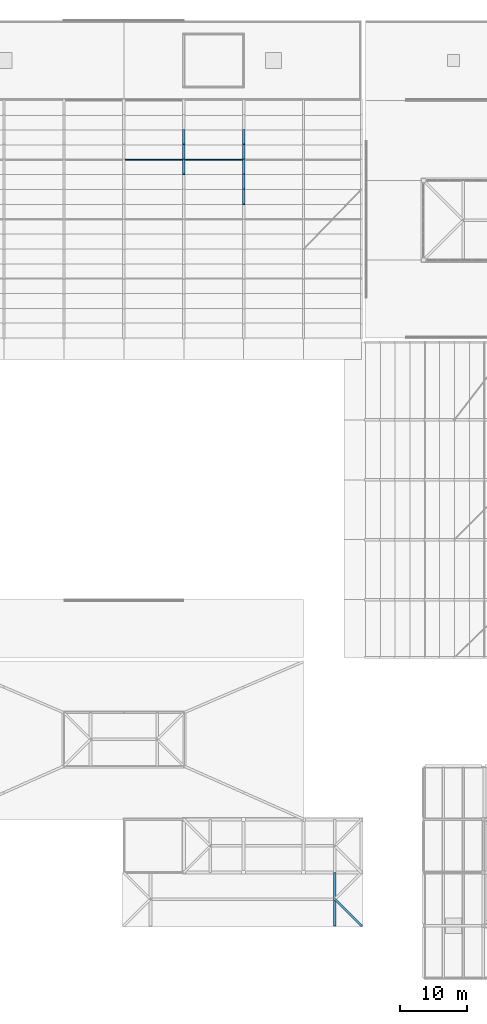
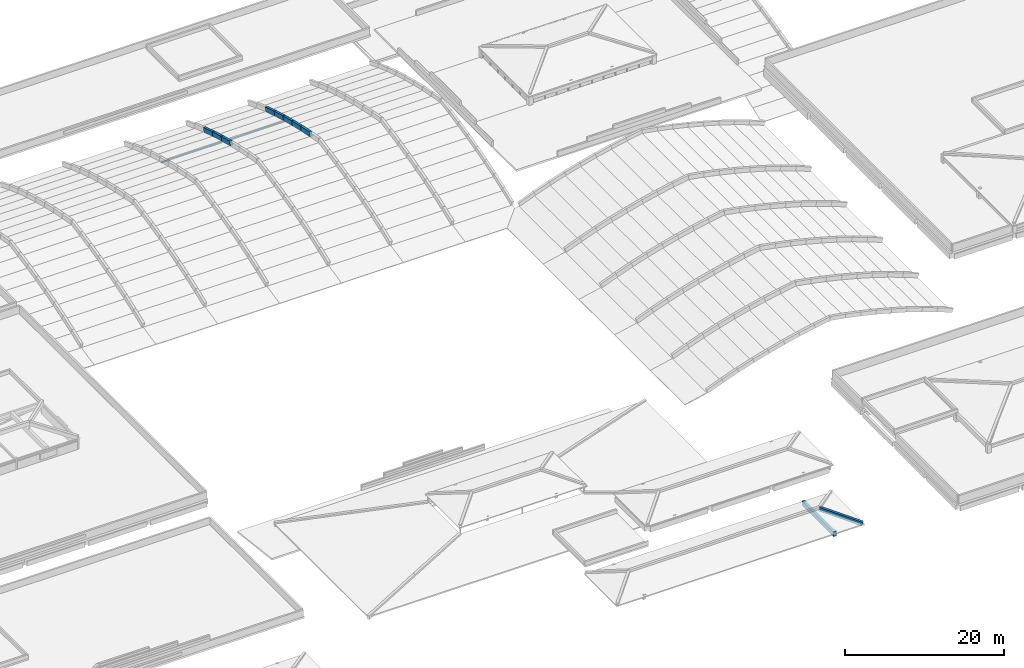
# One storey, part 20 of 56: 10 beams, 2 members.
"""IFC4 building model written with IfcOpenShell, lengths in metres."""

import ifcopenshell
import ifcopenshell.guid

model = None  # the IFC model being written
_history = None  # IfcOwnerHistory: only IFC2X3 demands one
_inside = {}  # id of a spatial element -> (the spatial element, [elements in it])
_under = {}  # id of a project, library or spatial element -> (it, [spatial elements below it])
_declared = {}  # id of a project -> (the project, [libraries it declares])
_typed = {}  # id of a type object -> (the type object, [elements of that type])
_made_of = {}  # id of a material, layer set ... -> (it, [elements and type objects made of it])


def new_model(schema):
    """Start an empty IFC model of exactly this schema.

    Asked for "IFC4X3", IfcOpenShell would pick the latest addendum, in which some entities
    have other attributes; the version numbers below select the first issue.
    IFC2X3 requires an IfcOwnerHistory on every rooted entity: one is made here for all.
    """
    global model, _history
    if schema == "IFC4X3":
        model = ifcopenshell.file(schema_version=(4, 3, 0, 0))
    else:
        model = ifcopenshell.file(schema=schema)
    _inside.clear()
    _under.clear()
    _declared.clear()
    _typed.clear()
    _made_of.clear()
    _history = None
    if model.schema == "IFC2X3":
        org = make("IfcOrganization", Name="unknown")
        user = make(
            "IfcPersonAndOrganization",
            ThePerson=make("IfcPerson", FamilyName="unknown"),
            TheOrganization=org,
        )
        app = make(
            "IfcApplication",
            ApplicationDeveloper=org,
            Version="unknown",
            ApplicationFullName="unknown",
            ApplicationIdentifier="unknown",
        )
        _history = make(
            "IfcOwnerHistory",
            OwningUser=user,
            OwningApplication=app,
            ChangeAction="ADDED",
            CreationDate=0,
        )
    return model


def make(cls, **values):
    """One entity of the class cls with the attributes given. An attribute that is None is left unset."""
    return model.create_entity(
        cls, **{name: value for name, value in values.items() if value is not None}
    )


def rooted(cls, **values):
    """An entity with a GlobalId (a new one), such as an element, a storey or a relation."""
    return make(cls, GlobalId=ifcopenshell.guid.new(), OwnerHistory=_history, **values)


def si_unit(unit_type, name, prefix=None):
    """IfcSIUnit, for example si_unit("LENGTHUNIT", "METRE", prefix="MILLI")."""
    return make("IfcSIUnit", UnitType=unit_type, Prefix=prefix, Name=name)


def assignment(units):
    """IfcUnitAssignment: the units of a project."""
    return None if units is None else make("IfcUnitAssignment", Units=units)


def point(xyz):
    """IfcCartesianPoint."""
    return None if xyz is None else make("IfcCartesianPoint", Coordinates=xyz)


def direction(xyz):
    """IfcDirection."""
    return None if xyz is None else make("IfcDirection", DirectionRatios=xyz)


def frame(location, z_axis=None, x_axis=None):
    """IfcAxis2Placement3D, a coordinate frame: its origin and axes. An axis left out is left unset."""
    return make(
        "IfcAxis2Placement3D",
        Location=point(location),
        Axis=direction(z_axis),
        RefDirection=direction(x_axis),
    )


def frame_2d(location, x_axis=None):
    """IfcAxis2Placement2D, a coordinate frame in the plane: its origin and x axis."""
    return make(
        "IfcAxis2Placement2D", Location=point(location), RefDirection=direction(x_axis)
    )


def origin():
    """The frame at (0, 0, 0) with its axes left unset."""
    return frame((0.0, 0.0, 0.0))


def origin_2d():
    """The frame at (0, 0) in the plane with its x axis left unset."""
    return frame_2d((0.0, 0.0))


def place(relative_to, where):
    """IfcLocalPlacement: puts the frame where relative to a parent placement (None: the world)."""
    return make(
        "IfcLocalPlacement", PlacementRelTo=relative_to, RelativePlacement=where
    )


def context(
    kind, dimensions, precision=None, world=None, true_north=None, identifier=None
):
    """IfcGeometricRepresentationContext, for example the 3D "Model" context."""
    return make(
        "IfcGeometricRepresentationContext",
        ContextIdentifier=identifier,
        ContextType=kind,
        CoordinateSpaceDimension=dimensions,
        Precision=precision,
        WorldCoordinateSystem=world,
        TrueNorth=true_north,
    )


def subcontext(parent, identifier, kind, view, scale=None):
    """IfcGeometricRepresentationSubContext, for example "Body" below "Model"."""
    return make(
        "IfcGeometricRepresentationSubContext",
        ContextIdentifier=identifier,
        ContextType=kind,
        ParentContext=parent,
        TargetScale=scale,
        TargetView=view,
    )


def project(units=None, contexts=None):
    """IfcProject with its units and contexts."""
    return rooted(
        "IfcProject",
        Name="project",
        RepresentationContexts=contexts,
        UnitsInContext=assignment(units),
    )


def spatial(cls, under=None, at=None, **own):
    """A site, building, storey or space (cls), placed at a placement, below another one or the project."""
    s = rooted(cls, ObjectPlacement=at, **own)
    if under is not None:
        _under.setdefault(under.id(), (under, []))[1].append(s)
    return s


def profile(cls, at=None, kind="AREA", **sizes):
    """A parametric profile (cls). Its sizes go by their IFC names, for example OverallWidth=200.0."""
    return make(cls, ProfileType=kind, Position=at, **sizes)


def rectangle(**sizes):
    """IfcRectangleProfileDef."""
    return profile("IfcRectangleProfileDef", **sizes)


def i_section(**sizes):
    """IfcIShapeProfileDef."""
    return profile("IfcIShapeProfileDef", **sizes)


def extrude(swept, where, along, depth):
    """IfcExtrudedAreaSolid: the profile swept, set in the frame where, extruded along a direction by depth."""
    return make(
        "IfcExtrudedAreaSolid",
        SweptArea=swept,
        Position=where,
        ExtrudedDirection=direction(along),
        Depth=depth,
    )


def shape(context_of_items, identifier, shape_type, items):
    """IfcShapeRepresentation: the items that make up one representation, for example the "Body"."""
    return make(
        "IfcShapeRepresentation",
        ContextOfItems=context_of_items,
        RepresentationIdentifier=identifier,
        RepresentationType=shape_type,
        Items=items,
    )


def material(Name=None, Category=None):
    """IfcMaterial."""
    return make("IfcMaterial", Name=Name, Category=Category)


def material_profile(
    of_material, cross_section, Name=None, Category=None, Priority=None
):
    """IfcMaterialProfile: a cross section and its material."""
    return make(
        "IfcMaterialProfile",
        Name=Name,
        Material=of_material,
        Profile=cross_section,
        Priority=Priority,
        Category=Category,
    )


def profile_set(profiles, Name=None, composite=None):
    """IfcMaterialProfileSet."""
    return make(
        "IfcMaterialProfileSet",
        Name=Name,
        MaterialProfiles=profiles,
        CompositeProfile=composite,
    )


def made_of(thing, what):
    """Note that an element or type object is made of a material, layer set ...; save() writes the relation."""
    if what is not None:
        _made_of.setdefault(what.id(), (what, []))[1].append(thing)
    return thing


def type_object(cls, material=None, **own):
    """A type object (cls), such as IfcWallType, which elements share."""
    return made_of(rooted(cls, **own), material)


def element(
    cls,
    number,
    at=None,
    inside=None,
    cuts=None,
    type_object=None,
    material=None,
    context=None,
    identifier="Body",
    shape_type=None,
    held_by="IfcProductDefinitionShape",
    body=None,
    shapes=None,
    **own,
):
    """One element of the class cls, such as IfcWall. Its Tag is "e" and its number.

    at: its placement. inside: the storey or other place that contains it. cuts: it is an
    opening in that element (IfcRelVoidsElement). A single representation is given by context,
    identifier, shape_type and body (its items); several are given by shapes. held_by: the class
    of the entity that holds the representations. save() writes the other relations.
    """
    e = rooted(cls, Tag="e%d" % number, ObjectPlacement=at, **own)
    if body is not None:
        shapes = [shape(context, identifier, shape_type, body)]
    if shapes is not None:
        e.Representation = make(held_by, Representations=shapes)
    if inside is not None:
        _inside.setdefault(inside.id(), (inside, []))[1].append(e)
    if cuts is not None:
        rooted(
            "IfcRelVoidsElement", RelatingBuildingElement=cuts, RelatedOpeningElement=e
        )
    if type_object is not None:
        _typed.setdefault(type_object.id(), (type_object, []))[1].append(e)
    return made_of(e, material)


def aggregate(whole, parts):
    """IfcRelAggregates: a whole, such as a stair, and the parts it consists of."""
    return rooted("IfcRelAggregates", RelatingObject=whole, RelatedObjects=parts)


def save(model, path):
    """Write the relations noted so far, then the file.

    IfcRelAggregates (storeys below a building ...), IfcRelContainedInSpatialStructure (elements
    in a storey), IfcRelDefinesByType, IfcRelAssociatesMaterial and IfcRelDeclares: one each for
    every whole, place, type object, material and project.
    """
    for whole, parts in _under.values():
        aggregate(whole, parts)
    for where, things in _inside.values():
        rooted(
            "IfcRelContainedInSpatialStructure",
            RelatedElements=things,
            RelatingStructure=where,
        )
    for kind, things in _typed.values():
        rooted("IfcRelDefinesByType", RelatedObjects=things, RelatingType=kind)
    for what, things in _made_of.values():
        rooted("IfcRelAssociatesMaterial", RelatedObjects=things, RelatingMaterial=what)
    for by, libraries in _declared.values():
        rooted("IfcRelDeclares", RelatingContext=by, RelatedDefinitions=libraries)
    model.write(path)


model = new_model("IFC4")

# Units and contexts
model_context = context("Model", 3, precision=1e-05, world=origin(), true_north=direction((0.0, 1.0)))
body_context = subcontext(model_context, "Body", "Model", "MODEL_VIEW")
ifc_project = project(units=[si_unit("LENGTHUNIT", "METRE"), si_unit("AREAUNIT", "SQUARE_METRE"), si_unit("VOLUMEUNIT", "CUBIC_METRE"), si_unit("PLANEANGLEUNIT", "RADIAN"), si_unit("MASSUNIT", "GRAM", prefix="KILO")], contexts=[model_context])

# Site, building, storey
site_placement = place(None, origin())
site = spatial("IfcSite", under=ifc_project, at=site_placement, CompositionType="ELEMENT")
building_placement = place(site_placement, origin())
building = spatial("IfcBuilding", under=site, at=building_placement, Name="Zacnel Wholesale Market", CompositionType="ELEMENT")
storey_placement = place(building_placement, frame((0.0, 0.0, 20.300048828125)))
storey = spatial("IfcBuildingStorey", under=building, at=storey_placement, Name="RF", CompositionType="ELEMENT", Elevation=20.300048828125)

# Beams
ifc_material_1 = material(Name="Concrete C40/50", Category="concrete")
ifc_material_profile_1 = material_profile(ifc_material_1, rectangle(XDim=0.35009765625, YDim=0.60009765625, at=origin_2d()), Name="ARCH RIB 350x600")
ifc_profile_set_1 = profile_set([ifc_material_profile_1], Name="Concrete C40/50")
beam_type_1 = type_object("IfcBeamType", Name="BM-AR600", PredefinedType="USERDEFINED", material=ifc_profile_set_1)
beam_1_placement = place(storey_placement, frame((143.699951171875, 8.0, -4.570068359375), z_axis=(-0.689141918443, 0.689141918443, 0.223979535871), x_axis=(-0.707106781187, -0.707106781187, 0.0)))
element("IfcBeam", 1, at=beam_1_placement, inside=storey, type_object=beam_type_1, Name="Hipped crown rib STR-ROOF-V4E-SOUTH-2", ObjectType="ARCH RIB", PredefinedType="USERDEFINED", context=body_context, shape_type="SweptSolid", body=[
    extrude(rectangle(XDim=0.35009765625, YDim=0.60009765625, at=origin_2d()), origin(), (0.0, 0.0, 1.0), 5.80419921875),
])
ifc_material_2 = material(Name="Concrete C40/50", Category="concrete")
ifc_material_profile_2 = material_profile(ifc_material_2, rectangle(XDim=0.35009765625, YDim=0.699951171875, at=origin_2d()), Name="ARCH RIB 350x700")
ifc_profile_set_2 = profile_set([ifc_material_profile_2], Name="Concrete C40/50")
beam_type_2 = type_object("IfcBeamType", Name="BM-AR700", PredefinedType="USERDEFINED", material=ifc_profile_set_2)
beam_2_placement = place(storey_placement, frame((117.0, 120.84375, -5.16015625), z_axis=(0.0, 0.967851902384, -0.251520764653), x_axis=(-1.0, 0.0, 0.0)))
element("IfcBeam", 2, at=beam_2_placement, inside=storey, type_object=beam_type_2, Name="Extrados arch rib north_west-117.0-S12", ObjectType="ARCH RIB", PredefinedType="USERDEFINED", context=body_context, shape_type="SweptSolid", body=[
    extrude(rectangle(XDim=0.35009765625, YDim=0.699951171875, at=origin_2d()), origin(), (0.0, 0.0, 1.0), 2.305419921875),
])
beam_3_placement = place(storey_placement, frame((117.0, 123.074951171875, -5.739990234375), z_axis=(0.0, 0.961229723344, -0.275748833108), x_axis=(-1.0, 0.0, 0.0)))
element("IfcBeam", 3, at=beam_3_placement, inside=storey, type_object=beam_type_2, Name="Extrados arch rib north_west-117.0-S13", ObjectType="ARCH RIB", PredefinedType="USERDEFINED", context=body_context, shape_type="SweptSolid", body=[
    extrude(rectangle(XDim=0.35009765625, YDim=0.699951171875, at=origin_2d()), origin(), (0.0, 0.0, 1.0), 2.321533203125),
])
beam_4_placement = place(storey_placement, frame((117.0, 125.306396484375, -6.380126953125), z_axis=(0.0, 0.951680151046, -0.30709101274), x_axis=(-1.0, 0.0, 0.0)))
element("IfcBeam", 4, at=beam_4_placement, inside=storey, type_object=beam_type_2, Name="Extrados arch rib north_west-117.0-S14", ObjectType="ARCH RIB", PredefinedType="USERDEFINED", context=body_context, shape_type="SweptSolid", body=[
    extrude(rectangle(XDim=0.35009765625, YDim=0.699951171875, at=origin_2d()), origin(), (0.0, 0.0, 1.0), 2.344482421875),
])
beam_5_placement = place(storey_placement, frame((126.0, 116.381103515625, -4.179931640625), z_axis=(0.0, 0.979388514875, -0.20198548693), x_axis=(-1.0, 0.0, 0.0)))
element("IfcBeam", 5, at=beam_5_placement, inside=storey, type_object=beam_type_2, Name="Extrados arch rib north_west-126.0-S10", ObjectType="ARCH RIB", PredefinedType="USERDEFINED", context=body_context, shape_type="SweptSolid", body=[
    extrude(rectangle(XDim=0.35009765625, YDim=0.699951171875, at=origin_2d()), origin(), (0.0, 0.0, 1.0), 2.2783203125),
])
beam_6_placement = place(storey_placement, frame((126.0, 118.612548828125, -4.64013671875), z_axis=(0.0, 0.973898559906, -0.226983688872), x_axis=(-1.0, 0.0, 0.0)))
element("IfcBeam", 6, at=beam_6_placement, inside=storey, type_object=beam_type_2, Name="Extrados arch rib north_west-126.0-S11", ObjectType="ARCH RIB", PredefinedType="USERDEFINED", context=body_context, shape_type="SweptSolid", body=[
    extrude(rectangle(XDim=0.35009765625, YDim=0.699951171875, at=origin_2d()), origin(), (0.0, 0.0, 1.0), 2.291015625),
])
beam_7_placement = place(storey_placement, frame((126.0, 120.84375, -5.16015625), z_axis=(0.0, 0.967851902384, -0.251520764653), x_axis=(-1.0, 0.0, 0.0)))
element("IfcBeam", 7, at=beam_7_placement, inside=storey, type_object=beam_type_2, Name="Extrados arch rib north_west-126.0-S12", ObjectType="ARCH RIB", PredefinedType="USERDEFINED", context=body_context, shape_type="SweptSolid", body=[
    extrude(rectangle(XDim=0.35009765625, YDim=0.699951171875, at=origin_2d()), origin(), (0.0, 0.0, 1.0), 2.305419921875),
])
beam_8_placement = place(storey_placement, frame((126.0, 123.074951171875, -5.739990234375), z_axis=(0.0, 0.961229723344, -0.275748833108), x_axis=(-1.0, 0.0, 0.0)))
element("IfcBeam", 8, at=beam_8_placement, inside=storey, type_object=beam_type_2, Name="Extrados arch rib north_west-126.0-S13", ObjectType="ARCH RIB", PredefinedType="USERDEFINED", context=body_context, shape_type="SweptSolid", body=[
    extrude(rectangle(XDim=0.35009765625, YDim=0.699951171875, at=origin_2d()), origin(), (0.0, 0.0, 1.0), 2.321533203125),
])
beam_9_placement = place(storey_placement, frame((126.0, 125.306396484375, -6.380126953125), z_axis=(0.0, 0.951680151046, -0.30709101274), x_axis=(-1.0, 0.0, 0.0)))
element("IfcBeam", 9, at=beam_9_placement, inside=storey, type_object=beam_type_2, Name="Extrados arch rib north_west-126.0-S14", ObjectType="ARCH RIB", PredefinedType="USERDEFINED", context=body_context, shape_type="SweptSolid", body=[
    extrude(rectangle(XDim=0.35009765625, YDim=0.699951171875, at=origin_2d()), origin(), (0.0, 0.0, 1.0), 2.344482421875),
])
ifc_material_3 = material(Name="Precast concrete C45/55", Category="concrete")
ifc_material_profile_3 = material_profile(ifc_material_3, rectangle(XDim=0.39990234375, YDim=0.699951171875, at=origin_2d()), Name="PG 400x700")
ifc_profile_set_3 = profile_set([ifc_material_profile_3], Name="Precast concrete C45/55")
beam_type_3 = type_object("IfcBeamType", Name="BM-PG700", PredefinedType="BEAM", material=ifc_profile_set_3)
beam_10_placement = place(storey_placement, frame((139.699951171875, 8.0, -4.800048828125), z_axis=(0.0, 1.0, 0.0), x_axis=(-1.0, 0.0, 0.0)))
element("IfcBeam", 10, at=beam_10_placement, inside=storey, type_object=beam_type_3, Name="Hipped crown tie beam STR-ROOF-V4E-SOUTH-2", PredefinedType="BEAM", context=body_context, shape_type="SweptSolid", body=[
    extrude(rectangle(XDim=0.39990234375, YDim=0.699951171875, at=origin_2d()), origin(), (0.0, 0.0, 1.0), 8.0),
])

# Members
ifc_material_4 = material(Name="Steel S355", Category="steel")
ifc_material_profile_4 = material_profile(ifc_material_4, i_section(OverallWidth=0.133056640625, OverallDepth=0.20703125, WebThickness=0.005859375, FlangeThickness=0.00830078125, FilletRadius=0.008056640625, at=origin_2d()), Name="W200X26.6")
ifc_profile_set_4 = profile_set([ifc_material_profile_4], Name="Steel S355")
member_type = type_object("IfcMemberType", Name="MEM-PUR-W200", PredefinedType="PURLIN", material=ifc_profile_set_4)
for number, where, z_axis, x_axis, name in (
    (11, (108.02001953125, 123.074951171875, -6.298583984375), (1.0, 0.0, 0.0), (0.0, 1.0, 0.0), "Shell longitudinal tie purlin 0015"),
    (12, (117.02001953125, 123.074951171875, -6.298583984375), (1.0, 0.0, 0.0), (0.0, 1.0, 0.0), "Shell longitudinal tie purlin 0018"),
):
    element("IfcMember", number, at=place(storey_placement, frame(where, z_axis=z_axis, x_axis=x_axis)), inside=storey, type_object=member_type, Name=name, PredefinedType="PURLIN", context=body_context, shape_type="SweptSolid", body=[
        extrude(i_section(OverallWidth=0.133056640625, OverallDepth=0.20703125, WebThickness=0.005859375, FlangeThickness=0.00830078125, FilletRadius=0.008056640625, at=origin_2d()), origin(), (0.0, 0.0, 1.0), 8.9599609375),
    ])

save(model, "model.ifc")
